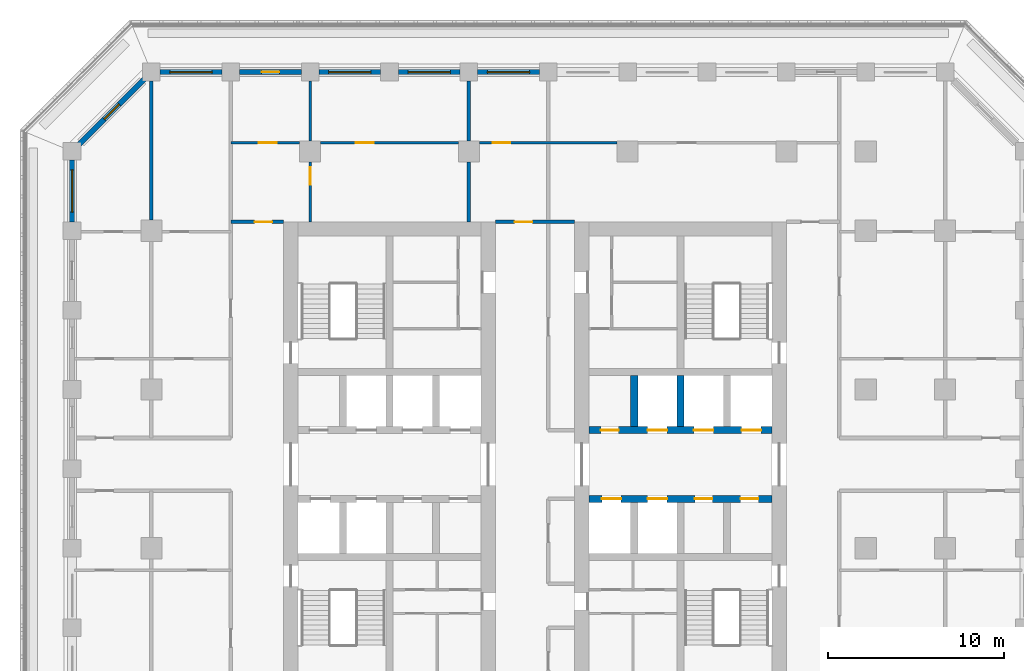
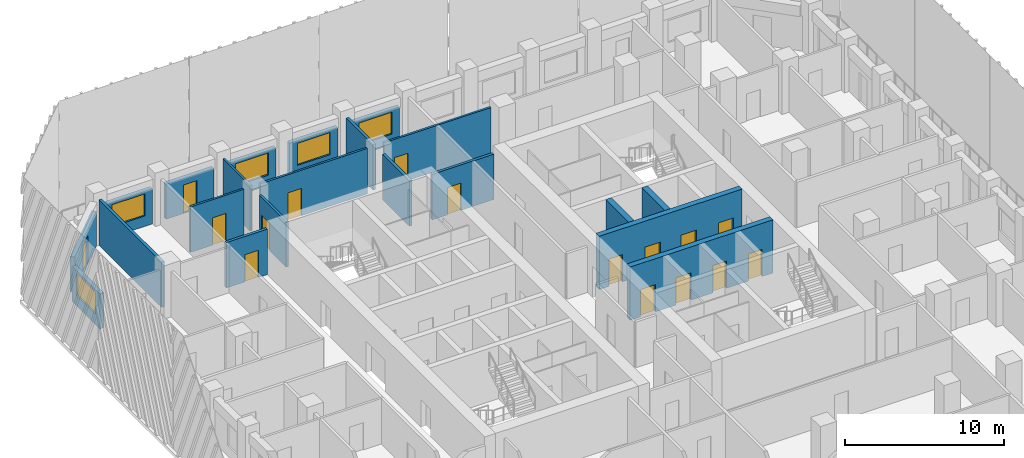
# One storey, part 7 of 17: 21 walls, 16 doors, 5 windows, 21 openings.
"""IFC4 building model written with IfcOpenShell, lengths in metres."""

from ifc_helpers import new_model, si_unit, direction, frame, frame_2d, origin, place, context, subcontext, project, spatial, rectangle, extrude, material, layer, layer_set, type_object, element, fill, save


model = new_model("IFC4")

# Units and contexts
model_context = context("Model", 3, precision=1e-05, world=origin(), true_north=direction((0.0, 1.0)))
body_context = subcontext(model_context, "Body", "Model", "MODEL_VIEW")
ifc_project = project(units=[si_unit("LENGTHUNIT", "METRE"), si_unit("AREAUNIT", "SQUARE_METRE"), si_unit("VOLUMEUNIT", "CUBIC_METRE"), si_unit("PLANEANGLEUNIT", "RADIAN"), si_unit("MASSUNIT", "GRAM", prefix="KILO")], contexts=[model_context])

# Site, building, storey
site_placement = place(None, origin())
site = spatial("IfcSite", under=ifc_project, at=site_placement, CompositionType="ELEMENT")
building_placement = place(site_placement, origin())
building = spatial("IfcBuilding", under=site, at=building_placement, Name="Corbel Stack Research Tower", CompositionType="ELEMENT")
storey_placement = place(building_placement, frame((0.0, 0.0, 216.10009765625)))
storey = spatial("IfcBuildingStorey", under=building, at=storey_placement, Name="L49", CompositionType="ELEMENT", Elevation=216.10009765625)

# Wall, openings, doors
ifc_material_1 = material(Name="Concrete C60/75", Category="concrete")
ifc_layer_1 = layer(ifc_material_1, 0.39990234375)
ifc_layer_set_1 = layer_set([ifc_layer_1], Name="Concrete C60/75")
wall_type_1 = type_object("IfcWallType", Name="CW-400-60", PredefinedType="SHEAR", material=ifc_layer_set_1)
wall_1_placement = place(storey_placement, frame((6.800048828125, 2.800048828125, 0.0), z_axis=(0.0, 0.0, 1.0), x_axis=(1.0, 0.0, 0.0)))
wall_1 = element("IfcWall", 1, at=wall_1_placement, inside=storey, type_object=wall_type_1, Name="East core wall, lobby south L49", PredefinedType="SHEAR", context=body_context, shape_type="SweptSolid", body=[
    extrude(rectangle(XDim=10.39990234375, YDim=0.39990234375, at=frame_2d((5.199951171875, 0.0))), origin(), (0.0, 0.0, 1.0), 4.099853515625),
])
opening_1_placement = place(wall_1_placement, frame((0.737548828125, 0.0, 0.0)))
opening_1 = element("IfcOpeningElement", 2, at=opening_1_placement, cuts=wall_1, Name="Opening LD-FS2", PredefinedType="OPENING", context=body_context, shape_type="SweptSolid", body=[
    extrude(rectangle(XDim=1.10009765625, YDim=2.10009765625, at=frame_2d((0.550048828125, 1.050048828125))), frame((0.0, 0.2099609375, 0.0), z_axis=(0.0, -1.0, 0.0), x_axis=(1.0, 0.0, 0.0)), (0.0, 0.0, 1.0), 0.419921875),
])
opening_2_placement = place(wall_1_placement, frame((3.33740234375, 0.0, 0.0)))
opening_2 = element("IfcOpeningElement", 3, at=opening_2_placement, cuts=wall_1, Name="Opening LD-GL2", PredefinedType="OPENING", context=body_context, shape_type="SweptSolid", body=[
    extrude(rectangle(XDim=1.10009765625, YDim=2.10009765625, at=frame_2d((0.550048828125, 1.050048828125))), frame((0.0, 0.2099609375, 0.0), z_axis=(0.0, -1.0, 0.0), x_axis=(1.0, 0.0, 0.0)), (0.0, 0.0, 1.0), 0.419921875),
])
opening_3_placement = place(wall_1_placement, frame((6.012451171875, 0.0, 0.0)))
opening_3 = element("IfcOpeningElement", 4, at=opening_3_placement, cuts=wall_1, Name="Opening CR-E54-S3", PredefinedType="OPENING", context=body_context, shape_type="SweptSolid", body=[
    extrude(rectangle(XDim=1.0, YDim=2.10009765625, at=frame_2d((0.5, 1.050048828125))), frame((0.0, 0.2099609375, 0.0), z_axis=(0.0, -1.0, 0.0), x_axis=(1.0, 0.0, 0.0)), (0.0, 0.0, 1.0), 0.419921875),
])
opening_4_placement = place(wall_1_placement, frame((8.612548828125, 0.0, 0.0)))
opening_4 = element("IfcOpeningElement", 5, at=opening_4_placement, cuts=wall_1, Name="Opening CR-E54-S4", PredefinedType="OPENING", context=body_context, shape_type="SweptSolid", body=[
    extrude(rectangle(XDim=1.0, YDim=2.10009765625, at=frame_2d((0.5, 1.050048828125))), frame((0.0, 0.2099609375, 0.0), z_axis=(0.0, -1.0, 0.0), x_axis=(1.0, 0.0, 0.0)), (0.0, 0.0, 1.0), 0.419921875),
])
ifc_material_2 = material(Name="Stainless steel landing door", Category="steel")
door_type_1 = type_object("IfcDoorType", Name="Lift landing door 1100 x 2100", OperationType="DOUBLE_DOOR_SLIDING", PredefinedType="DOOR", material=ifc_material_2)
door_1_placement = place(opening_1_placement, origin())
door_1 = element("IfcDoor", 6, at=door_1_placement, inside=storey, type_object=door_type_1, Name="Landing door FS2", OperationType="DOUBLE_DOOR_SLIDING", OverallHeight=2.10009765625, OverallWidth=1.10009765625, PredefinedType="DOOR", context=body_context, shape_type="SweptSolid", body=[
    extrude(rectangle(XDim=1.10009765625, YDim=2.10009765625, at=frame_2d((0.550048828125, 1.050048828125))), frame((0.0, 0.02490234375, 0.0), z_axis=(0.0, -1.0, 0.0), x_axis=(1.0, 0.0, 0.0)), (0.0, 0.0, 1.0), 0.050048828125),
])
fill(opening_1, door_1)
door_2_placement = place(opening_2_placement, origin())
door_2 = element("IfcDoor", 7, at=door_2_placement, inside=storey, type_object=door_type_1, Name="Landing door GL2", OperationType="DOUBLE_DOOR_SLIDING", OverallHeight=2.10009765625, OverallWidth=1.10009765625, PredefinedType="DOOR", context=body_context, shape_type="SweptSolid", body=[
    extrude(rectangle(XDim=1.10009765625, YDim=2.10009765625, at=frame_2d((0.550048828125, 1.050048828125))), frame((0.0, 0.02490234375, 0.0), z_axis=(0.0, -1.0, 0.0), x_axis=(1.0, 0.0, 0.0)), (0.0, 0.0, 1.0), 0.050048828125),
])
fill(opening_2, door_2)
ifc_material_3 = material(Name="Painted steel door", Category="steel")
door_type_2 = type_object("IfcDoorType", Name="Service door 1000 x 2100 FD60 left hand", OperationType="SINGLE_SWING_LEFT", PredefinedType="DOOR", material=ifc_material_3)
door_3_placement = place(opening_3_placement, origin())
door_3 = element("IfcDoor", 8, at=door_3_placement, inside=storey, type_object=door_type_2, Name="Telecom room door E core", OperationType="SINGLE_SWING_LEFT", OverallHeight=2.10009765625, OverallWidth=1.0, PredefinedType="DOOR", context=body_context, shape_type="SweptSolid", body=[
    extrude(rectangle(XDim=1.0, YDim=2.10009765625, at=frame_2d((0.5, 1.050048828125))), frame((0.0, 0.02490234375, 0.0), z_axis=(0.0, -1.0, 0.0), x_axis=(1.0, 0.0, 0.0)), (0.0, 0.0, 1.0), 0.050048828125),
])
fill(opening_3, door_3)
ifc_material_4 = material(Name="Painted steel door", Category="steel")
door_type_3 = type_object("IfcDoorType", Name="Service door 1000 x 2100 FD60 right hand", OperationType="SINGLE_SWING_RIGHT", PredefinedType="DOOR", material=ifc_material_4)
door_4_placement = place(opening_4_placement, origin())
door_4 = element("IfcDoor", 9, at=door_4_placement, inside=storey, type_object=door_type_3, Name="Copy and supply store door E core", OperationType="SINGLE_SWING_RIGHT", OverallHeight=2.10009765625, OverallWidth=1.0, PredefinedType="DOOR", context=body_context, shape_type="SweptSolid", body=[
    extrude(rectangle(XDim=1.0, YDim=2.10009765625, at=frame_2d((0.5, 1.050048828125))), frame((0.0, 0.02490234375, 0.0), z_axis=(0.0, -1.0, 0.0), x_axis=(1.0, 0.0, 0.0)), (0.0, 0.0, 1.0), 0.050048828125),
])
fill(opening_4, door_4)

wall_2_placement = place(storey_placement, frame((6.800048828125, 6.699951171875, 0.0), z_axis=(0.0, 0.0, 1.0), x_axis=(1.0, 0.0, 0.0)))
wall_2 = element("IfcWall", 10, at=wall_2_placement, inside=storey, type_object=wall_type_1, Name="East core wall, lobby north L49", PredefinedType="SHEAR", context=body_context, shape_type="SweptSolid", body=[
    extrude(rectangle(XDim=10.39990234375, YDim=0.39990234375, at=frame_2d((5.199951171875, 0.0))), origin(), (0.0, 0.0, 1.0), 4.099853515625),
])
opening_5_placement = place(wall_2_placement, frame((3.33740234375, 0.0, 0.0)))
opening_5 = element("IfcOpeningElement", 11, at=opening_5_placement, cuts=wall_2, Name="Opening LD-HR4", PredefinedType="OPENING", context=body_context, shape_type="SweptSolid", body=[
    extrude(rectangle(XDim=1.10009765625, YDim=2.10009765625, at=frame_2d((0.550048828125, 1.050048828125))), frame((0.0, 0.2099609375, 0.0), z_axis=(0.0, -1.0, 0.0), x_axis=(1.0, 0.0, 0.0)), (0.0, 0.0, 1.0), 0.419921875),
])
opening_6_placement = place(wall_2_placement, frame((5.96240234375, 0.0, 0.0)))
opening_6 = element("IfcOpeningElement", 12, at=opening_6_placement, cuts=wall_2, Name="Opening LD-HR5", PredefinedType="OPENING", context=body_context, shape_type="SweptSolid", body=[
    extrude(rectangle(XDim=1.10009765625, YDim=2.10009765625, at=frame_2d((0.550048828125, 1.050048828125))), frame((0.0, 0.2099609375, 0.0), z_axis=(0.0, -1.0, 0.0), x_axis=(1.0, 0.0, 0.0)), (0.0, 0.0, 1.0), 0.419921875),
])
opening_7_placement = place(wall_2_placement, frame((8.66259765625, 0.0, 0.0)))
opening_7 = element("IfcOpeningElement", 13, at=opening_7_placement, cuts=wall_2, Name="Opening LD-HR6", PredefinedType="OPENING", context=body_context, shape_type="SweptSolid", body=[
    extrude(rectangle(XDim=1.10009765625, YDim=2.10009765625, at=frame_2d((0.550048828125, 1.050048828125))), frame((0.0, 0.2099609375, 0.0), z_axis=(0.0, -1.0, 0.0), x_axis=(1.0, 0.0, 0.0)), (0.0, 0.0, 1.0), 0.419921875),
])
opening_8_placement = place(wall_2_placement, frame((0.6875, 0.0, 0.0)))
opening_8 = element("IfcOpeningElement", 14, at=opening_8_placement, cuts=wall_2, Name="Opening CR-E54-N1", PredefinedType="OPENING", context=body_context, shape_type="SweptSolid", body=[
    extrude(rectangle(XDim=1.0, YDim=2.10009765625, at=frame_2d((0.5, 1.050048828125))), frame((0.0, 0.2099609375, 0.0), z_axis=(0.0, -1.0, 0.0), x_axis=(1.0, 0.0, 0.0)), (0.0, 0.0, 1.0), 0.419921875),
])
door_5_placement = place(opening_5_placement, origin())
door_5 = element("IfcDoor", 15, at=door_5_placement, inside=storey, type_object=door_type_1, Name="Landing door HR4", OperationType="DOUBLE_DOOR_SLIDING", OverallHeight=2.10009765625, OverallWidth=1.10009765625, PredefinedType="DOOR", context=body_context, shape_type="SweptSolid", body=[
    extrude(rectangle(XDim=1.10009765625, YDim=2.10009765625, at=frame_2d((0.550048828125, 1.050048828125))), frame((0.0, 0.02490234375, 0.0), z_axis=(0.0, -1.0, 0.0), x_axis=(1.0, 0.0, 0.0)), (0.0, 0.0, 1.0), 0.050048828125),
])
fill(opening_5, door_5)
door_6_placement = place(opening_6_placement, origin())
door_6 = element("IfcDoor", 16, at=door_6_placement, inside=storey, type_object=door_type_1, Name="Landing door HR5", OperationType="DOUBLE_DOOR_SLIDING", OverallHeight=2.10009765625, OverallWidth=1.10009765625, PredefinedType="DOOR", context=body_context, shape_type="SweptSolid", body=[
    extrude(rectangle(XDim=1.10009765625, YDim=2.10009765625, at=frame_2d((0.550048828125, 1.050048828125))), frame((0.0, 0.02490234375, 0.0), z_axis=(0.0, -1.0, 0.0), x_axis=(1.0, 0.0, 0.0)), (0.0, 0.0, 1.0), 0.050048828125),
])
fill(opening_6, door_6)
door_7_placement = place(opening_7_placement, origin())
door_7 = element("IfcDoor", 17, at=door_7_placement, inside=storey, type_object=door_type_1, Name="Landing door HR6", OperationType="DOUBLE_DOOR_SLIDING", OverallHeight=2.10009765625, OverallWidth=1.10009765625, PredefinedType="DOOR", context=body_context, shape_type="SweptSolid", body=[
    extrude(rectangle(XDim=1.10009765625, YDim=2.10009765625, at=frame_2d((0.550048828125, 1.050048828125))), frame((0.0, 0.02490234375, 0.0), z_axis=(0.0, -1.0, 0.0), x_axis=(1.0, 0.0, 0.0)), (0.0, 0.0, 1.0), 0.050048828125),
])
fill(opening_7, door_7)
door_8_placement = place(opening_8_placement, origin())
door_8 = element("IfcDoor", 18, at=door_8_placement, inside=storey, type_object=door_type_2, Name="Records store door E core", OperationType="SINGLE_SWING_LEFT", OverallHeight=2.10009765625, OverallWidth=1.0, PredefinedType="DOOR", context=body_context, shape_type="SweptSolid", body=[
    extrude(rectangle(XDim=1.0, YDim=2.10009765625, at=frame_2d((0.5, 1.050048828125))), frame((0.0, 0.02490234375, 0.0), z_axis=(0.0, -1.0, 0.0), x_axis=(1.0, 0.0, 0.0)), (0.0, 0.0, 1.0), 0.050048828125),
])
fill(opening_8, door_8)

# Walls
for number, where, z_axis, x_axis, name in (
    (19, (9.375, 6.89990234375, 0.0), (0.0, 0.0, 1.0), (0.0, 1.0, 0.0), "East core wall, north shaft 1 L49"),
    (20, (12.0, 6.89990234375, 0.0), (0.0, 0.0, 1.0), (0.0, 1.0, 0.0), "East core wall, north shaft 2 L49"),
):
    element("IfcWall", number, at=place(storey_placement, frame(where, z_axis=z_axis, x_axis=x_axis)), inside=storey, type_object=wall_type_1, Name=name, PredefinedType="SHEAR", context=body_context, shape_type="SweptSolid", body=[
        extrude(rectangle(XDim=2.900146484375, YDim=0.39990234375, at=frame_2d((1.4501953125, 0.0))), origin(), (0.0, 0.0, 1.0), 4.099853515625),
    ])

# Wall, opening, door
ifc_material_5 = material(Name="Fire-rated gypsum board partition on steel studs", Category="steel")
ifc_layer_2 = layer(ifc_material_5, 0.14990234375)
ifc_layer_set_2 = layer_set([ifc_layer_2], Name="Fire-rated gypsum board partition on steel studs")
wall_type_2 = type_object("IfcWallType", Name="Fire-rated partition 150 EI 60", PredefinedType="PARTITIONING", material=ifc_layer_set_2)
wall_3_placement = place(storey_placement, frame((-9.0, 21.89990234375, 0.0), z_axis=(0.0, 0.0, 1.0), x_axis=(0.0, -1.0, 0.0)))
wall_3 = element("IfcWall", 21, at=wall_3_placement, inside=storey, type_object=wall_type_2, Name="Partition L49-012", PredefinedType="PARTITIONING", context=body_context, shape_type="SweptSolid", body=[
    extrude(rectangle(XDim=3.39990234375, YDim=0.14990234375, at=frame_2d((1.699951171875, 0.0))), origin(), (0.0, 0.0, 1.0), 3.5),
])
opening_9_placement = place(wall_3_placement, frame((0.300048828125, 0.0, 0.0)))
opening_9 = element("IfcOpeningElement", 22, at=opening_9_placement, cuts=wall_3, Name="Opening B6V2-015", PredefinedType="OPENING", context=body_context, shape_type="SweptSolid", body=[
    extrude(rectangle(XDim=1.0, YDim=2.10009765625, at=frame_2d((0.5, 1.050048828125))), frame((0.0, 0.0849609375, 0.0), z_axis=(0.0, -1.0, 0.0), x_axis=(1.0, 0.0, 0.0)), (0.0, 0.0, 1.0), 0.169921875),
])
ifc_material_6 = material(Name="Painted steel fire door", Category="steel")
door_type_4 = type_object("IfcDoorType", Name="Fire door FD30S 1000 x 2100", OperationType="NOTDEFINED", PredefinedType="DOOR", material=ifc_material_6)
door_9_placement = place(opening_9_placement, origin())
door_9 = element("IfcDoor", 23, at=door_9_placement, inside=storey, type_object=door_type_4, Name="Door B6V2-015", OperationType="SINGLE_SWING_LEFT", OverallHeight=2.10009765625, OverallWidth=1.0, PredefinedType="DOOR", context=body_context, shape_type="SweptSolid", body=[
    extrude(rectangle(XDim=1.0, YDim=2.10009765625, at=frame_2d((0.5, 1.050048828125))), frame((0.0, 0.02490234375, 0.0), z_axis=(0.0, -1.0, 0.0), x_axis=(1.0, 0.0, 0.0)), (0.0, 0.0, 1.0), 0.050048828125),
])
fill(opening_9, door_9)

# Walls
ifc_material_7 = material(Name="Fire-rated gypsum board partition on steel studs", Category="steel")
ifc_layer_3 = layer(ifc_material_7, 0.199951171875)
ifc_layer_set_3 = layer_set([ifc_layer_3], Name="Fire-rated gypsum board partition on steel studs")
wall_type_3 = type_object("IfcWallType", Name="Fire-rated partition 200 EI 60", PredefinedType="PARTITIONING", material=ifc_layer_set_3)
wall_4_placement = place(storey_placement, frame((-18.0, 18.60009765625, 0.0), z_axis=(0.0, 0.0, 1.0), x_axis=(0.0, 1.0, 0.0)))
element("IfcWall", 24, at=wall_4_placement, inside=storey, type_object=wall_type_3, Name="Partition L49-007", PredefinedType="PARTITIONING", context=body_context, shape_type="SweptSolid", body=[
    extrude(rectangle(XDim=7.89990234375, YDim=0.199951171875, at=frame_2d((3.949951171875, 0.0))), origin(), (0.0, 0.0, 1.0), 3.5),
])
for number, where, z_axis, x_axis, name in (
    (25, (0.0, 18.5, 0.0), (0.0, 0.0, 1.0), (0.0, 1.0, 0.0), "Partition L49-016"),
    (26, (0.0, 23.10009765625, 0.0), (0.0, 0.0, 1.0), (0.0, 1.0, 0.0), "Partition L49-017"),
):
    element("IfcWall", number, at=place(storey_placement, frame(where, z_axis=z_axis, x_axis=x_axis)), inside=storey, type_object=wall_type_3, Name=name, PredefinedType="PARTITIONING", context=body_context, shape_type="SweptSolid", body=[
        extrude(rectangle(XDim=3.39990234375, YDim=0.199951171875, at=frame_2d((1.699951171875, 0.0))), origin(), (0.0, 0.0, 1.0), 3.5),
    ])

# Wall, opening, door
wall_5_placement = place(storey_placement, frame((-13.5, 18.5, 0.0), z_axis=(0.0, 0.0, 1.0), x_axis=(1.0, 0.0, 0.0)))
wall_5 = element("IfcWall", 27, at=wall_5_placement, inside=storey, type_object=wall_type_3, Name="Partition L49-057", PredefinedType="PARTITIONING", context=body_context, shape_type="SweptSolid", body=[
    extrude(rectangle(XDim=3.0, YDim=0.199951171875, at=frame_2d((1.5, 0.0))), origin(), (0.0, 0.0, 1.0), 3.5),
])
opening_10_placement = place(wall_5_placement, frame((1.35009765625, 0.0, 0.0)))
opening_10 = element("IfcOpeningElement", 28, at=opening_10_placement, cuts=wall_5, Name="Opening B6V2-039", PredefinedType="OPENING", context=body_context, shape_type="SweptSolid", body=[
    extrude(rectangle(XDim=1.0, YDim=2.10009765625, at=frame_2d((0.5, 1.050048828125))), frame((0.0, 0.10986328125, 0.0), z_axis=(0.0, -1.0, 0.0), x_axis=(1.0, 0.0, 0.0)), (0.0, 0.0, 1.0), 0.219970703125),
])
door_10_placement = place(opening_10_placement, origin())
door_10 = element("IfcDoor", 29, at=door_10_placement, inside=storey, type_object=door_type_4, Name="Door B6V2-039", OperationType="SINGLE_SWING_RIGHT", OverallHeight=2.10009765625, OverallWidth=1.0, PredefinedType="DOOR", context=body_context, shape_type="SweptSolid", body=[
    extrude(rectangle(XDim=1.0, YDim=2.10009765625, at=frame_2d((0.5, 1.050048828125))), frame((0.0, 0.02490234375, 0.0), z_axis=(0.0, -1.0, 0.0), x_axis=(1.0, 0.0, 0.0)), (0.0, 0.0, 1.0), 0.050048828125),
])
fill(opening_10, door_10)

wall_6_placement = place(storey_placement, frame((1.5, 18.5, 0.0), z_axis=(0.0, 0.0, 1.0), x_axis=(1.0, 0.0, 0.0)))
wall_6 = element("IfcWall", 30, at=wall_6_placement, inside=storey, type_object=wall_type_3, Name="Partition L49-058", PredefinedType="PARTITIONING", context=body_context, shape_type="SweptSolid", body=[
    extrude(rectangle(XDim=4.5, YDim=0.199951171875, at=frame_2d((2.25, 0.0))), origin(), (0.0, 0.0, 1.0), 3.5),
])
opening_11_placement = place(wall_6_placement, frame((1.10009765625, 0.0, 0.0)))
opening_11 = element("IfcOpeningElement", 31, at=opening_11_placement, cuts=wall_6, Name="Opening B6V2-040", PredefinedType="OPENING", context=body_context, shape_type="SweptSolid", body=[
    extrude(rectangle(XDim=1.0, YDim=2.10009765625, at=frame_2d((0.5, 1.050048828125))), frame((0.0, 0.10986328125, 0.0), z_axis=(0.0, -1.0, 0.0), x_axis=(1.0, 0.0, 0.0)), (0.0, 0.0, 1.0), 0.219970703125),
])
door_11_placement = place(opening_11_placement, origin())
door_11 = element("IfcDoor", 32, at=door_11_placement, inside=storey, type_object=door_type_4, Name="Door B6V2-040", OperationType="SINGLE_SWING_LEFT", OverallHeight=2.10009765625, OverallWidth=1.0, PredefinedType="DOOR", context=body_context, shape_type="SweptSolid", body=[
    extrude(rectangle(XDim=1.0, YDim=2.10009765625, at=frame_2d((0.5, 1.050048828125))), frame((0.0, 0.02490234375, 0.0), z_axis=(0.0, -1.0, 0.0), x_axis=(1.0, 0.0, 0.0)), (0.0, 0.0, 1.0), 0.050048828125),
])
fill(opening_11, door_11)

# Wall
ifc_material_8 = material(Name="Gypsum board partition on steel studs", Category="steel")
ifc_layer_4 = layer(ifc_material_8, 0.14990234375)
ifc_layer_set_4 = layer_set([ifc_layer_4], Name="Gypsum board partition on steel studs")
wall_type_4 = type_object("IfcWallType", Name="Partition 150", PredefinedType="PARTITIONING", material=ifc_layer_set_4)
wall_7_placement = place(storey_placement, frame((-9.0, 23.10009765625, 0.0), z_axis=(0.0, 0.0, 1.0), x_axis=(0.0, 1.0, 0.0)))
element("IfcWall", 33, at=wall_7_placement, inside=storey, type_object=wall_type_4, Name="Partition L49-013", PredefinedType="PARTITIONING", context=body_context, shape_type="SweptSolid", body=[
    extrude(rectangle(XDim=3.39990234375, YDim=0.14990234375, at=frame_2d((1.699951171875, 0.0))), origin(), (0.0, 0.0, 1.0), 3.5),
])

# Wall, opening, door
wall_8_placement = place(storey_placement, frame((-13.5, 23.0, 0.0), z_axis=(0.0, 0.0, 1.0), x_axis=(1.0, 0.0, 0.0)))
wall_8 = element("IfcWall", 34, at=wall_8_placement, inside=storey, type_object=wall_type_4, Name="Partition L49-060", PredefinedType="PARTITIONING", context=body_context, shape_type="SweptSolid", body=[
    extrude(rectangle(XDim=3.89990234375, YDim=0.14990234375, at=frame_2d((1.949951171875, 0.0))), origin(), (0.0, 0.0, 1.0), 3.5),
])
opening_12_placement = place(wall_8_placement, frame((1.60009765625, 0.0, 0.0)))
opening_12 = element("IfcOpeningElement", 35, at=opening_12_placement, cuts=wall_8, Name="Opening B6V2-044", PredefinedType="OPENING", context=body_context, shape_type="SweptSolid", body=[
    extrude(rectangle(XDim=1.0, YDim=2.10009765625, at=frame_2d((0.5, 1.050048828125))), frame((0.0, 0.0849609375, 0.0), z_axis=(0.0, -1.0, 0.0), x_axis=(1.0, 0.0, 0.0)), (0.0, 0.0, 1.0), 0.169921875),
])
ifc_material_9 = material(Name="Painted timber door", Category="wood")
door_type_5 = type_object("IfcDoorType", Name="Single door 1000 x 2100", OperationType="NOTDEFINED", PredefinedType="DOOR", material=ifc_material_9)
door_12_placement = place(opening_12_placement, origin())
door_12 = element("IfcDoor", 36, at=door_12_placement, inside=storey, type_object=door_type_5, Name="Door B6V2-044", OperationType="SINGLE_SWING_RIGHT", OverallHeight=2.10009765625, OverallWidth=1.0, PredefinedType="DOOR", context=body_context, shape_type="SweptSolid", body=[
    extrude(rectangle(XDim=1.0, YDim=2.10009765625, at=frame_2d((0.5, 1.050048828125))), frame((0.0, 0.02490234375, 0.0), z_axis=(0.0, -1.0, 0.0), x_axis=(1.0, 0.0, 0.0)), (0.0, 0.0, 1.0), 0.050048828125),
])
fill(opening_12, door_12)

wall_9_placement = place(storey_placement, frame((-8.39990234375, 23.0, 0.0), z_axis=(0.0, 0.0, 1.0), x_axis=(1.0, 0.0, 0.0)))
wall_9 = element("IfcWall", 37, at=wall_9_placement, inside=storey, type_object=wall_type_4, Name="Partition L49-061", PredefinedType="PARTITIONING", context=body_context, shape_type="SweptSolid", body=[
    extrude(rectangle(XDim=7.7998046875, YDim=0.14990234375, at=frame_2d((3.89990234375, 0.0))), origin(), (0.0, 0.0, 1.0), 3.5),
])
opening_13_placement = place(wall_9_placement, frame((2.0, 0.0, 0.0)))
opening_13 = element("IfcOpeningElement", 38, at=opening_13_placement, cuts=wall_9, Name="Opening B6V2-045", PredefinedType="OPENING", context=body_context, shape_type="SweptSolid", body=[
    extrude(rectangle(XDim=1.0, YDim=2.10009765625, at=frame_2d((0.5, 1.050048828125))), frame((0.0, 0.0849609375, 0.0), z_axis=(0.0, -1.0, 0.0), x_axis=(1.0, 0.0, 0.0)), (0.0, 0.0, 1.0), 0.169921875),
])
door_13_placement = place(opening_13_placement, origin())
door_13 = element("IfcDoor", 39, at=door_13_placement, inside=storey, type_object=door_type_5, Name="Door B6V2-045", OperationType="SINGLE_SWING_LEFT", OverallHeight=2.10009765625, OverallWidth=1.0, PredefinedType="DOOR", context=body_context, shape_type="SweptSolid", body=[
    extrude(rectangle(XDim=1.0, YDim=2.10009765625, at=frame_2d((0.5, 1.050048828125))), frame((0.0, 0.02490234375, 0.0), z_axis=(0.0, -1.0, 0.0), x_axis=(1.0, 0.0, 0.0)), (0.0, 0.0, 1.0), 0.050048828125),
])
fill(opening_13, door_13)

wall_10_placement = place(storey_placement, frame((0.60009765625, 23.0, 0.0), z_axis=(0.0, 0.0, 1.0), x_axis=(1.0, 0.0, 0.0)))
wall_10 = element("IfcWall", 40, at=wall_10_placement, inside=storey, type_object=wall_type_4, Name="Partition L49-062", PredefinedType="PARTITIONING", context=body_context, shape_type="SweptSolid", body=[
    extrude(rectangle(XDim=7.7998046875, YDim=0.14990234375, at=frame_2d((3.89990234375, 0.0))), origin(), (0.0, 0.0, 1.0), 3.5),
])
opening_14_placement = place(wall_10_placement, frame((0.75, 0.0, 0.0)))
opening_14 = element("IfcOpeningElement", 41, at=opening_14_placement, cuts=wall_10, Name="Opening B6V2-046", PredefinedType="OPENING", context=body_context, shape_type="SweptSolid", body=[
    extrude(rectangle(XDim=1.0, YDim=2.10009765625, at=frame_2d((0.5, 1.050048828125))), frame((0.0, 0.0849609375, 0.0), z_axis=(0.0, -1.0, 0.0), x_axis=(1.0, 0.0, 0.0)), (0.0, 0.0, 1.0), 0.169921875),
])
door_14_placement = place(opening_14_placement, origin())
door_14 = element("IfcDoor", 42, at=door_14_placement, inside=storey, type_object=door_type_5, Name="Door B6V2-046", OperationType="SINGLE_SWING_LEFT", OverallHeight=2.10009765625, OverallWidth=1.0, PredefinedType="DOOR", context=body_context, shape_type="SweptSolid", body=[
    extrude(rectangle(XDim=1.0, YDim=2.10009765625, at=frame_2d((0.5, 1.050048828125))), frame((0.0, 0.02490234375, 0.0), z_axis=(0.0, -1.0, 0.0), x_axis=(1.0, 0.0, 0.0)), (0.0, 0.0, 1.0), 0.050048828125),
])
fill(opening_14, door_14)

# Wall, opening, window
ifc_material_10 = material(Name="Concrete C45/55", Category="concrete")
ifc_layer_5 = layer(ifc_material_10, 0.300048828125)
ifc_layer_set_5 = layer_set([ifc_layer_5], Name="Concrete C45/55")
wall_type_5 = type_object("IfcWallType", Name="Terracotta-faced concrete wall 300", PredefinedType="SOLIDWALL", material=ifc_layer_set_5)
wall_11_placement = place(storey_placement, frame((0.5, 27.0, 0.0), z_axis=(0.0, 0.0, 1.0), x_axis=(1.0, 0.0, 0.0)))
wall_11 = element("IfcWall", 43, at=wall_11_placement, inside=storey, type_object=wall_type_5, Name="Facade wall L49 N06", PredefinedType="SOLIDWALL", context=body_context, shape_type="SweptSolid", body=[
    extrude(rectangle(XDim=3.5, YDim=0.300048828125, at=frame_2d((1.75, 0.0))), origin(), (0.0, 0.0, 1.0), 2.699951171875),
])
opening_15_placement = place(wall_11_placement, frame((0.550048828125, 0.0, 0.800048828125)))
opening_15 = element("IfcOpeningElement", 44, at=opening_15_placement, cuts=wall_11, Name="Opening W1", PredefinedType="OPENING", context=body_context, shape_type="SweptSolid", body=[
    extrude(rectangle(XDim=2.39990234375, YDim=1.699951171875, at=frame_2d((1.199951171875, 0.85009765625))), frame((0.0, 0.159912109375, 0.0), z_axis=(0.0, -1.0, 0.0), x_axis=(1.0, 0.0, 0.0)), (0.0, 0.0, 1.0), 0.320068359375),
])
ifc_material_11 = material(Name="Aluminium frame, clear double glazing", Category="aluminium")
window_type = type_object("IfcWindowType", Name="Window W1 2400 x 1700", PartitioningType="SINGLE_PANEL", PredefinedType="WINDOW", material=ifc_material_11)
window_1_placement = place(opening_15_placement, origin())
window_1 = element("IfcWindow", 45, at=window_1_placement, inside=storey, type_object=window_type, Name="Window W1 L49 N06", OverallHeight=1.699951171875, OverallWidth=2.39990234375, PartitioningType="SINGLE_PANEL", PredefinedType="WINDOW", context=body_context, shape_type="SweptSolid", body=[
    extrude(rectangle(XDim=2.39990234375, YDim=1.699951171875, at=frame_2d((1.199951171875, 0.85009765625))), frame((0.0, 0.030029296875, 0.0), z_axis=(0.0, -1.0, 0.0), x_axis=(1.0, 0.0, 0.0)), (0.0, 0.0, 1.0), 0.06005859375),
])
fill(opening_15, window_1)

wall_12_placement = place(storey_placement, frame((-4.0, 27.0, 0.0), z_axis=(0.0, 0.0, 1.0), x_axis=(1.0, 0.0, 0.0)))
wall_12 = element("IfcWall", 46, at=wall_12_placement, inside=storey, type_object=wall_type_5, Name="Facade wall L49 N07", PredefinedType="SOLIDWALL", context=body_context, shape_type="SweptSolid", body=[
    extrude(rectangle(XDim=3.5, YDim=0.300048828125, at=frame_2d((1.75, 0.0))), origin(), (0.0, 0.0, 1.0), 2.699951171875),
])
opening_16_placement = place(wall_12_placement, frame((0.550048828125, 0.0, 0.800048828125)))
opening_16 = element("IfcOpeningElement", 47, at=opening_16_placement, cuts=wall_12, Name="Opening W1", PredefinedType="OPENING", context=body_context, shape_type="SweptSolid", body=[
    extrude(rectangle(XDim=2.39990234375, YDim=1.699951171875, at=frame_2d((1.199951171875, 0.85009765625))), frame((0.0, 0.159912109375, 0.0), z_axis=(0.0, -1.0, 0.0), x_axis=(1.0, 0.0, 0.0)), (0.0, 0.0, 1.0), 0.320068359375),
])
window_2_placement = place(opening_16_placement, origin())
window_2 = element("IfcWindow", 48, at=window_2_placement, inside=storey, type_object=window_type, Name="Window W1 L49 N07", OverallHeight=1.699951171875, OverallWidth=2.39990234375, PartitioningType="SINGLE_PANEL", PredefinedType="WINDOW", context=body_context, shape_type="SweptSolid", body=[
    extrude(rectangle(XDim=2.39990234375, YDim=1.699951171875, at=frame_2d((1.199951171875, 0.85009765625))), frame((0.0, 0.030029296875, 0.0), z_axis=(0.0, -1.0, 0.0), x_axis=(1.0, 0.0, 0.0)), (0.0, 0.0, 1.0), 0.06005859375),
])
fill(opening_16, window_2)

wall_13_placement = place(storey_placement, frame((-8.5, 27.0, 0.0), z_axis=(0.0, 0.0, 1.0), x_axis=(1.0, 0.0, 0.0)))
wall_13 = element("IfcWall", 49, at=wall_13_placement, inside=storey, type_object=wall_type_5, Name="Facade wall L49 N08", PredefinedType="SOLIDWALL", context=body_context, shape_type="SweptSolid", body=[
    extrude(rectangle(XDim=3.5, YDim=0.300048828125, at=frame_2d((1.75, 0.0))), origin(), (0.0, 0.0, 1.0), 2.699951171875),
])
opening_17_placement = place(wall_13_placement, frame((0.550048828125, 0.0, 0.800048828125)))
opening_17 = element("IfcOpeningElement", 50, at=opening_17_placement, cuts=wall_13, Name="Opening W1", PredefinedType="OPENING", context=body_context, shape_type="SweptSolid", body=[
    extrude(rectangle(XDim=2.39990234375, YDim=1.699951171875, at=frame_2d((1.199951171875, 0.85009765625))), frame((0.0, 0.159912109375, 0.0), z_axis=(0.0, -1.0, 0.0), x_axis=(1.0, 0.0, 0.0)), (0.0, 0.0, 1.0), 0.320068359375),
])
window_3_placement = place(opening_17_placement, origin())
window_3 = element("IfcWindow", 51, at=window_3_placement, inside=storey, type_object=window_type, Name="Window W1 L49 N08", OverallHeight=1.699951171875, OverallWidth=2.39990234375, PartitioningType="SINGLE_PANEL", PredefinedType="WINDOW", context=body_context, shape_type="SweptSolid", body=[
    extrude(rectangle(XDim=2.39990234375, YDim=1.699951171875, at=frame_2d((1.199951171875, 0.85009765625))), frame((0.0, 0.030029296875, 0.0), z_axis=(0.0, -1.0, 0.0), x_axis=(1.0, 0.0, 0.0)), (0.0, 0.0, 1.0), 0.06005859375),
])
fill(opening_17, window_3)

# Wall, opening, door
wall_14_placement = place(storey_placement, frame((-13.0, 27.0, 0.0), z_axis=(0.0, 0.0, 1.0), x_axis=(1.0, 0.0, 0.0)))
wall_14 = element("IfcWall", 52, at=wall_14_placement, inside=storey, type_object=wall_type_5, Name="Facade wall L49 N09", PredefinedType="SOLIDWALL", context=body_context, shape_type="SweptSolid", body=[
    extrude(rectangle(XDim=3.5, YDim=0.300048828125, at=frame_2d((1.75, 0.0))), origin(), (0.0, 0.0, 1.0), 2.699951171875),
])
opening_18_placement = place(wall_14_placement, frame((1.25, 0.0, 0.0)))
opening_18 = element("IfcOpeningElement", 53, at=opening_18_placement, cuts=wall_14, Name="Opening L49-B08", PredefinedType="OPENING", context=body_context, shape_type="SweptSolid", body=[
    extrude(rectangle(XDim=1.0, YDim=2.199951171875, at=frame_2d((0.5, 1.10009765625))), frame((0.0, 0.159912109375, 0.0), z_axis=(0.0, -1.0, 0.0), x_axis=(1.0, 0.0, 0.0)), (0.0, 0.0, 1.0), 0.320068359375),
])
ifc_material_12 = material(Name="Aluminium frame, clear double glazing", Category="aluminium")
door_type_6 = type_object("IfcDoorType", Name="Balcony door BD1 1000 x 2200", OperationType="NOTDEFINED", PredefinedType="DOOR", material=ifc_material_12)
door_15_placement = place(opening_18_placement, origin())
door_15 = element("IfcDoor", 54, at=door_15_placement, inside=storey, type_object=door_type_6, Name="Balcony door L49-B08", OperationType="SINGLE_SWING_RIGHT", OverallHeight=2.199951171875, OverallWidth=1.0, PredefinedType="DOOR", context=body_context, shape_type="SweptSolid", body=[
    extrude(rectangle(XDim=1.0, YDim=2.199951171875, at=frame_2d((0.5, 1.10009765625))), frame((0.0, 0.02490234375, 0.0), z_axis=(0.0, -1.0, 0.0), x_axis=(1.0, 0.0, 0.0)), (0.0, 0.0, 1.0), 0.050048828125),
])
fill(opening_18, door_15)

# Wall, opening, window
wall_15_placement = place(storey_placement, frame((-17.5, 27.0, 0.0), z_axis=(0.0, 0.0, 1.0), x_axis=(1.0, 0.0, 0.0)))
wall_15 = element("IfcWall", 55, at=wall_15_placement, inside=storey, type_object=wall_type_5, Name="Facade wall L49 N10", PredefinedType="SOLIDWALL", context=body_context, shape_type="SweptSolid", body=[
    extrude(rectangle(XDim=3.5, YDim=0.300048828125, at=frame_2d((1.75, 0.0))), origin(), (0.0, 0.0, 1.0), 2.699951171875),
])
opening_19_placement = place(wall_15_placement, frame((0.550048828125, 0.0, 0.800048828125)))
opening_19 = element("IfcOpeningElement", 56, at=opening_19_placement, cuts=wall_15, Name="Opening W1", PredefinedType="OPENING", context=body_context, shape_type="SweptSolid", body=[
    extrude(rectangle(XDim=2.39990234375, YDim=1.699951171875, at=frame_2d((1.199951171875, 0.85009765625))), frame((0.0, 0.159912109375, 0.0), z_axis=(0.0, -1.0, 0.0), x_axis=(1.0, 0.0, 0.0)), (0.0, 0.0, 1.0), 0.320068359375),
])
window_4_placement = place(opening_19_placement, origin())
window_4 = element("IfcWindow", 57, at=window_4_placement, inside=storey, type_object=window_type, Name="Window W1 L49 N10", OverallHeight=1.699951171875, OverallWidth=2.39990234375, PartitioningType="SINGLE_PANEL", PredefinedType="WINDOW", context=body_context, shape_type="SweptSolid", body=[
    extrude(rectangle(XDim=2.39990234375, YDim=1.699951171875, at=frame_2d((1.199951171875, 0.85009765625))), frame((0.0, 0.030029296875, 0.0), z_axis=(0.0, -1.0, 0.0), x_axis=(1.0, 0.0, 0.0)), (0.0, 0.0, 1.0), 0.06005859375),
])
fill(opening_19, window_4)

# Wall, opening, door
wall_16_placement = place(storey_placement, frame((-22.106201171875, 22.893798828125, 0.0), z_axis=(0.0, 0.0, 1.0), x_axis=(0.707106781187, 0.707106781187, 0.0)))
wall_16 = element("IfcWall", 58, at=wall_16_placement, inside=storey, type_object=wall_type_5, Name="Facade wall L49 NW01", PredefinedType="SOLIDWALL", context=body_context, shape_type="SweptSolid", body=[
    extrude(rectangle(XDim=5.250244140625, YDim=0.300048828125, at=frame_2d((2.625, 0.0))), origin(), (0.0, 0.0, 1.0), 2.699951171875),
])
opening_20_placement = place(wall_16_placement, frame((2.02490234375, 0.0, 0.0)))
opening_20 = element("IfcOpeningElement", 59, at=opening_20_placement, cuts=wall_16, Name="Opening L49-B09", PredefinedType="OPENING", context=body_context, shape_type="SweptSolid", body=[
    extrude(rectangle(XDim=1.199951171875, YDim=2.199951171875, at=frame_2d((0.60009765625, 1.10009765625))), frame((0.0, 0.159912109375, 0.0), z_axis=(0.0, -1.0, 0.0), x_axis=(1.0, 0.0, 0.0)), (0.0, 0.0, 1.0), 0.320068359375),
])
ifc_material_13 = material(Name="Aluminium frame, clear double glazing", Category="aluminium")
door_type_7 = type_object("IfcDoorType", Name="Balcony door BD2 1200 x 2200", OperationType="NOTDEFINED", PredefinedType="DOOR", material=ifc_material_13)
door_16_placement = place(opening_20_placement, origin())
door_16 = element("IfcDoor", 60, at=door_16_placement, inside=storey, type_object=door_type_7, Name="Balcony door L49-B09", OperationType="SINGLE_SWING_RIGHT", OverallHeight=2.199951171875, OverallWidth=1.199951171875, PredefinedType="DOOR", context=body_context, shape_type="SweptSolid", body=[
    extrude(rectangle(XDim=1.199951171875, YDim=2.199951171875, at=frame_2d((0.60009765625, 1.10009765625))), frame((0.0, 0.02490234375, 0.0), z_axis=(0.0, -1.0, 0.0), x_axis=(1.0, 0.0, 0.0)), (0.0, 0.0, 1.0), 0.050048828125),
])
fill(opening_20, door_16)

# Wall, opening, window
wall_17_placement = place(storey_placement, frame((-22.5, 18.5, 0.0), z_axis=(0.0, 0.0, 1.0), x_axis=(0.0, 1.0, 0.0)))
wall_17 = element("IfcWall", 61, at=wall_17_placement, inside=storey, type_object=wall_type_5, Name="Facade wall L49 W01", PredefinedType="SOLIDWALL", context=body_context, shape_type="SweptSolid", body=[
    extrude(rectangle(XDim=3.5, YDim=0.300048828125, at=frame_2d((1.75, 0.0))), origin(), (0.0, 0.0, 1.0), 2.699951171875),
])
opening_21_placement = place(wall_17_placement, frame((0.550048828125, 0.0, 0.800048828125)))
opening_21 = element("IfcOpeningElement", 62, at=opening_21_placement, cuts=wall_17, Name="Opening W1", PredefinedType="OPENING", context=body_context, shape_type="SweptSolid", body=[
    extrude(rectangle(XDim=2.39990234375, YDim=1.699951171875, at=frame_2d((1.199951171875, 0.85009765625))), frame((0.0, 0.159912109375, 0.0), z_axis=(0.0, -1.0, 0.0), x_axis=(1.0, 0.0, 0.0)), (0.0, 0.0, 1.0), 0.320068359375),
])
window_5_placement = place(opening_21_placement, origin())
window_5 = element("IfcWindow", 63, at=window_5_placement, inside=storey, type_object=window_type, Name="Window W1 L49 W01", OverallHeight=1.699951171875, OverallWidth=2.39990234375, PartitioningType="SINGLE_PANEL", PredefinedType="WINDOW", context=body_context, shape_type="SweptSolid", body=[
    extrude(rectangle(XDim=2.39990234375, YDim=1.699951171875, at=frame_2d((1.199951171875, 0.85009765625))), frame((0.0, 0.030029296875, 0.0), z_axis=(0.0, -1.0, 0.0), x_axis=(1.0, 0.0, 0.0)), (0.0, 0.0, 1.0), 0.06005859375),
])
fill(opening_21, window_5)

save(model, "model.ifc")
